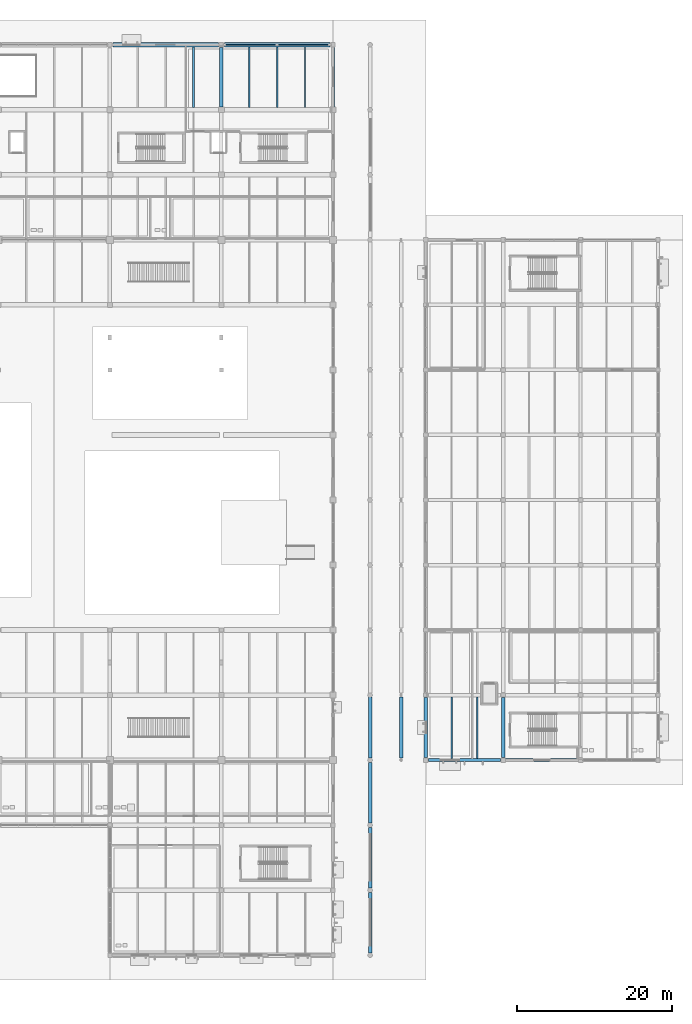
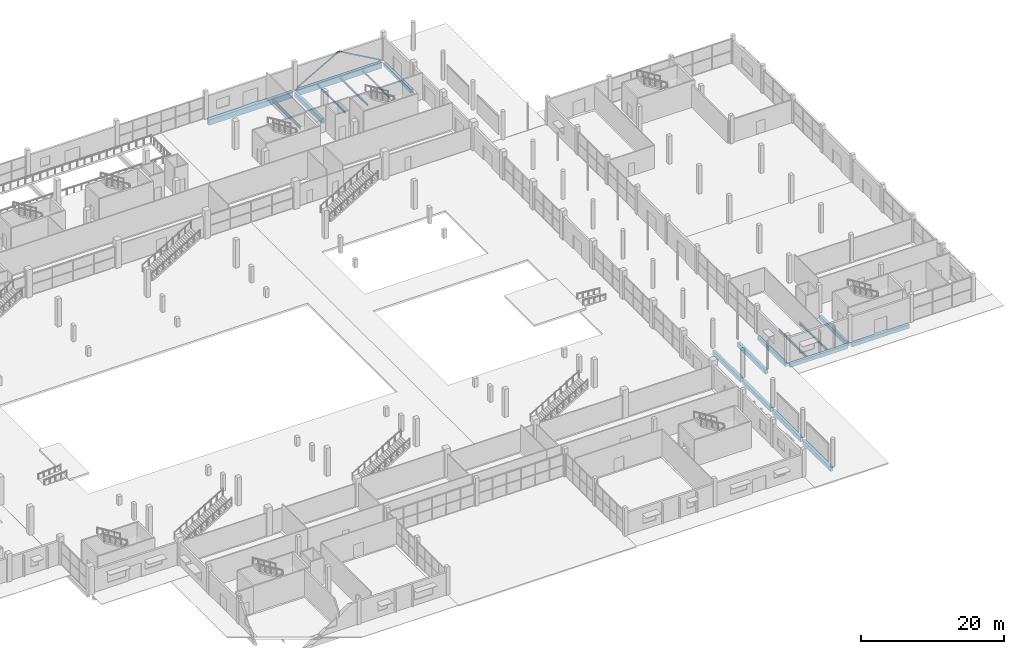
# One storey, part 62 of 130: 19 beams, 2 members.
"""IFC4 building model written with IfcOpenShell, lengths in metres."""

from ifc_helpers import new_model, si_unit, direction, frame, origin, origin_2d, place, context, subcontext, project, spatial, rectangle, hollow_rectangle, i_section, extrude, material, material_profile, profile_set, type_object, element, save


model = new_model("IFC4")

# Units and contexts
model_context = context("Model", 3, precision=1e-05, world=origin(), true_north=direction((0.0, 1.0)))
body_context = subcontext(model_context, "Body", "Model", "MODEL_VIEW")
ifc_project = project(units=[si_unit("LENGTHUNIT", "METRE"), si_unit("AREAUNIT", "SQUARE_METRE"), si_unit("VOLUMEUNIT", "CUBIC_METRE"), si_unit("PLANEANGLEUNIT", "RADIAN"), si_unit("MASSUNIT", "GRAM", prefix="KILO"), si_unit("THERMODYNAMICTEMPERATUREUNIT", "KELVIN")], contexts=[model_context])

# Site, building, storey
site_placement = place(None, origin())
site = spatial("IfcSite", under=ifc_project, at=site_placement, CompositionType="ELEMENT")
building_placement = place(site_placement, origin())
building = spatial("IfcBuilding", under=site, at=building_placement, Name="Nduvali Passage Aquatics Centre", CompositionType="ELEMENT")
storey_placement = place(building_placement, origin())
storey = spatial("IfcBuildingStorey", under=building, at=storey_placement, Name="L00", CompositionType="ELEMENT", Elevation=0.0)

# Beams
ifc_material_1 = material(Name="Concrete C40/50", Category="concrete")
ifc_material_profile_1 = material_profile(ifc_material_1, rectangle(XDim=0.39990234375, YDim=0.699951171875, at=origin_2d()), Name="RC 400x700")
ifc_profile_set_1 = profile_set([ifc_material_profile_1], Name="Concrete C40/50")
beam_type_1 = type_object("IfcBeamType", Name="STR-BM-RC4070", PredefinedType="BEAM", material=ifc_profile_set_1)
beam_1_placement = place(storey_placement, frame((148.0, 25.52490234375, -0.64990234375), z_axis=(0.0, 1.0, 0.0), x_axis=(-1.0, 0.0, 0.0)))
element("IfcBeam", 1, at=beam_1_placement, inside=storey, type_object=beam_type_1, Name="L00 Primary Y-Girder B3A-0231", PredefinedType="BEAM", context=body_context, shape_type="SweptSolid", body=[
    extrude(rectangle(XDim=0.39990234375, YDim=0.699951171875, at=origin_2d()), origin(), (0.0, 0.0, 1.0), 7.75),
])
ifc_material_profile_2 = material_profile(ifc_material_1, rectangle(XDim=0.449951171875, YDim=0.75, at=origin_2d()), Name="RC 450x750")
ifc_profile_set_2 = profile_set([ifc_material_profile_2], Name="Concrete C40/50")
beam_type_2 = type_object("IfcBeamType", Name="STR-BM-RC4575", PredefinedType="BEAM", material=ifc_profile_set_2)
beam_2_placement = place(storey_placement, frame((111.60009765625, 109.574951171875, -0.675048828125), z_axis=(0.0, 1.0, 0.0), x_axis=(-1.0, 0.0, 0.0)))
element("IfcBeam", 2, at=beam_2_placement, inside=storey, type_object=beam_type_2, Name="L00 Primary Y-Girder B3-0186", PredefinedType="BEAM", context=body_context, shape_type="SweptSolid", body=[
    extrude(rectangle(XDim=0.449951171875, YDim=0.75, at=origin_2d()), origin(), (0.0, 0.0, 1.0), 7.650146484375),
])
beam_3_placement = place(storey_placement, frame((130.800048828125, 0.27490234375, -0.675048828125), z_axis=(0.0, 1.0, 0.0), x_axis=(-1.0, 0.0, 0.0)))
element("IfcBeam", 3, at=beam_3_placement, inside=storey, type_object=beam_type_2, Name="L00 Primary Y-Girder B3-0201", PredefinedType="BEAM", context=body_context, shape_type="SweptSolid", body=[
    extrude(rectangle(XDim=0.449951171875, YDim=0.75, at=origin_2d()), origin(), (0.0, 0.0, 1.0), 7.85009765625),
])
beam_4_placement = place(storey_placement, frame((130.800048828125, 8.675048828125, -0.675048828125), z_axis=(0.0, 1.0, 0.0), x_axis=(-1.0, 0.0, 0.0)))
element("IfcBeam", 4, at=beam_4_placement, inside=storey, type_object=beam_type_2, Name="L00 Primary Y-Girder B3-0202", PredefinedType="BEAM", context=body_context, shape_type="SweptSolid", body=[
    extrude(rectangle(XDim=0.449951171875, YDim=0.75, at=origin_2d()), origin(), (0.0, 0.0, 1.0), 7.849853515625),
])
beam_5_placement = place(storey_placement, frame((130.800048828125, 17.074951171875, -0.675048828125), z_axis=(0.0, 1.0, 0.0), x_axis=(-1.0, 0.0, 0.0)))
element("IfcBeam", 5, at=beam_5_placement, inside=storey, type_object=beam_type_2, Name="L00 Primary Y-Girder B3-0203", PredefinedType="BEAM", context=body_context, shape_type="SweptSolid", body=[
    extrude(rectangle(XDim=0.449951171875, YDim=0.75, at=origin_2d()), origin(), (0.0, 0.0, 1.0), 7.85009765625),
])
for number, where, z_axis, x_axis, name in (
    (6, (130.800048828125, 25.47509765625, -0.675048828125), (0.0, 1.0, 0.0), (-1.0, 0.0, 0.0), "L00 Primary Y-Girder B3-0204"),
    (7, (134.800048828125, 25.47509765625, -0.675048828125), (0.0, 1.0, 0.0), (-1.0, 0.0, 0.0), "L00 Primary Y-Girder B3-0215"),
):
    element("IfcBeam", number, at=place(storey_placement, frame(where, z_axis=z_axis, x_axis=x_axis)), inside=storey, type_object=beam_type_2, Name=name, PredefinedType="BEAM", context=body_context, shape_type="SweptSolid", body=[
        extrude(rectangle(XDim=0.449951171875, YDim=0.75, at=origin_2d()), origin(), (0.0, 0.0, 1.0), 7.849853515625),
    ])
ifc_material_profile_3 = material_profile(ifc_material_1, rectangle(XDim=0.60009765625, YDim=0.949951171875, at=origin_2d()), Name="RC 600x950")
ifc_profile_set_3 = profile_set([ifc_material_profile_3], Name="Concrete C40/50")
beam_type_3 = type_object("IfcBeamType", Name="STR-BM-RC6095-EXT", PredefinedType="BEAM", material=ifc_profile_set_3)
beam_6_placement = place(storey_placement, frame((97.60009765625, 117.60009765625, -0.77490234375), z_axis=(1.0, 0.0, 0.0), x_axis=(0.0, 1.0, 0.0)))
element("IfcBeam", 8, at=beam_6_placement, inside=storey, type_object=beam_type_3, Name="L00 Primary X-Girder B1E-0111", PredefinedType="BEAM", context=body_context, shape_type="SweptSolid", body=[
    extrude(rectangle(XDim=0.60009765625, YDim=0.949951171875, at=origin_2d()), origin(), (0.0, 0.0, 1.0), 13.625),
])
beam_7_placement = place(storey_placement, frame((111.97509765625, 117.60009765625, -0.77490234375), z_axis=(1.0, 0.0, 0.0), x_axis=(0.0, 1.0, 0.0)))
element("IfcBeam", 9, at=beam_7_placement, inside=storey, type_object=beam_type_3, Name="L00 Primary X-Girder B1E-0112", PredefinedType="BEAM", context=body_context, shape_type="SweptSolid", body=[
    extrude(rectangle(XDim=0.60009765625, YDim=0.949951171875, at=origin_2d()), origin(), (0.0, 0.0, 1.0), 13.64990234375),
])
ifc_material_2 = material(Name="Steel S355", Category="steel")
ifc_material_profile_4 = material_profile(ifc_material_2, i_section(OverallWidth=0.2099609375, OverallDepth=0.550048828125, WebThickness=0.010986328125, FlangeThickness=0.01708984375, FilletRadius=0.02392578125, at=origin_2d()), Name="IPE 550")
ifc_profile_set_4 = profile_set([ifc_material_profile_4], Name="Steel S355")
beam_type_4 = type_object("IfcBeamType", Name="STR-JST-IPE550", PredefinedType="JOIST", material=ifc_profile_set_4)
beam_8_placement = place(storey_placement, frame((108.0, 109.5, -0.5791015625), z_axis=(0.0, 1.0, 0.0), x_axis=(-1.0, 0.0, 0.0)))
element("IfcBeam", 10, at=beam_8_placement, inside=storey, type_object=beam_type_4, Name="L00 Secondary Joist J5C-0422", PredefinedType="JOIST", context=body_context, shape_type="SweptSolid", body=[
    extrude(i_section(OverallWidth=0.2099609375, OverallDepth=0.550048828125, WebThickness=0.010986328125, FlangeThickness=0.01708984375, FilletRadius=0.02392578125, at=origin_2d()), origin(), (0.0, 0.0, 1.0), 7.800048828125),
])
ifc_material_profile_5 = material_profile(ifc_material_2, i_section(OverallWidth=0.165771484375, OverallDepth=0.306640625, WebThickness=0.006591796875, FlangeThickness=0.01171875, FilletRadius=0.0087890625, at=origin_2d()), Name="UKB 305x165x46")
ifc_profile_set_5 = profile_set([ifc_material_profile_5], Name="Steel S355")
beam_type_5 = type_object("IfcBeamType", Name="STR-JST-UKB305", PredefinedType="JOIST", material=ifc_profile_set_5)
for number, where, z_axis, x_axis, name in (
    (11, (115.199951171875, 109.5, -0.457275390625), (0.0, 1.0, 0.0), (-1.0, 0.0, 0.0), "L00 Secondary Joist J3-0423"),
    (12, (118.800048828125, 109.5, -0.457275390625), (0.0, 1.0, 0.0), (-1.0, 0.0, 0.0), "L00 Secondary Joist J3-0424"),
    (13, (122.39990234375, 109.5, -0.457275390625), (0.0, 1.0, 0.0), (-1.0, 0.0, 0.0), "L00 Secondary Joist J3-0425"),
):
    element("IfcBeam", number, at=place(storey_placement, frame(where, z_axis=z_axis, x_axis=x_axis)), inside=storey, type_object=beam_type_5, Name=name, PredefinedType="JOIST", context=body_context, shape_type="SweptSolid", body=[
        extrude(i_section(OverallWidth=0.165771484375, OverallDepth=0.306640625, WebThickness=0.006591796875, FlangeThickness=0.01171875, FilletRadius=0.0087890625, at=origin_2d()), origin(), (0.0, 0.0, 1.0), 7.800048828125),
    ])
ifc_material_profile_6 = material_profile(ifc_material_2, i_section(OverallWidth=0.1787109375, OverallDepth=0.409423828125, WebThickness=0.0087890625, FlangeThickness=0.014404296875, FilletRadius=0.01025390625, at=origin_2d()), Name="UKB 406x178x67")
ifc_profile_set_6 = profile_set([ifc_material_profile_6], Name="Steel S355")
beam_type_6 = type_object("IfcBeamType", Name="STR-JST-UKB406", PredefinedType="JOIST", material=ifc_profile_set_6)
for number, where, z_axis, x_axis, name in (
    (14, (141.333251953125, 25.39990234375, -0.5087890625), (0.0, 1.0, 0.0), (-1.0, 0.0, 0.0), "L00 Secondary Joist J1-0303"),
    (15, (144.666748046875, 25.39990234375, -0.5087890625), (0.0, 1.0, 0.0), (-1.0, 0.0, 0.0), "L00 Secondary Joist J1-0304"),
):
    element("IfcBeam", number, at=place(storey_placement, frame(where, z_axis=z_axis, x_axis=x_axis)), inside=storey, type_object=beam_type_6, Name=name, PredefinedType="JOIST", context=body_context, shape_type="SweptSolid", body=[
        extrude(i_section(OverallWidth=0.1787109375, OverallDepth=0.409423828125, WebThickness=0.0087890625, FlangeThickness=0.014404296875, FilletRadius=0.01025390625, at=origin_2d()), origin(), (0.0, 0.0, 1.0), 7.97509765625),
    ])

# Members
ifc_material_profile_7 = material_profile(ifc_material_2, hollow_rectangle(XDim=0.10009765625, YDim=0.199951171875, WallThickness=0.00634765625, at=origin_2d()), Name="RHS 200x100x6.3")
ifc_profile_set_7 = profile_set([ifc_material_profile_7], Name="Steel S355")
member_type = type_object("IfcMemberType", Name="STR-MEM-RHS200", PredefinedType="BRACE", material=ifc_profile_set_7)
for number, where, z_axis, x_axis, name in (
    (16, (112.0, 117.60009765625, 0.0), (0.870201254645, 0.0, 0.492696434343), (0.0, 1.0, 0.0), "L00 Chevron Frame Brace 5L"),
    (17, (125.60009765625, 117.60009765625, 0.0), (-0.870201254645, 0.0, 0.492696434343), (0.0, -1.0, 0.0), "L00 Chevron Frame Brace 5R"),
):
    element("IfcMember", number, at=place(storey_placement, frame(where, z_axis=z_axis, x_axis=x_axis)), inside=storey, type_object=member_type, Name=name, PredefinedType="BRACE", context=body_context, shape_type="SweptSolid", body=[
        extrude(hollow_rectangle(XDim=0.10009765625, YDim=0.199951171875, WallThickness=0.00634765625, at=origin_2d()), origin(), (0.0, 0.0, 1.0), 7.814453125),
    ])

# Beams
ifc_material_profile_8 = material_profile(ifc_material_1, rectangle(XDim=0.39990234375, YDim=0.64990234375, at=origin_2d()), Name="RC 400x650")
ifc_profile_set_8 = profile_set([ifc_material_profile_8], Name="Concrete C40/50")
beam_type_7 = type_object("IfcBeamType", Name="STR-SPN-RC4065-EXT", PredefinedType="SPANDREL", material=ifc_profile_set_8)
for number, where, z_axis, x_axis, name in (
    (18, (138.324951171875, 25.199951171875, -0.625), (1.0, 0.0, 0.0), (0.0, 1.0, 0.0), "L00 Primary X-Girder SP1E-0022"),
    (19, (148.324951171875, 25.199951171875, -0.625), (1.0, 0.0, 0.0), (0.0, 1.0, 0.0), "L00 Primary X-Girder SP1E-0023"),
):
    element("IfcBeam", number, at=place(storey_placement, frame(where, z_axis=z_axis, x_axis=x_axis)), inside=storey, type_object=beam_type_7, Name=name, PredefinedType="SPANDREL", context=body_context, shape_type="SweptSolid", body=[
        extrude(rectangle(XDim=0.39990234375, YDim=0.64990234375, at=origin_2d()), origin(), (0.0, 0.0, 1.0), 9.35009765625),
    ])
beam_9_placement = place(storey_placement, frame((126.0, 109.574951171875, -0.625), z_axis=(0.0, 1.0, 0.0), x_axis=(-1.0, 0.0, 0.0)))
element("IfcBeam", 20, at=beam_9_placement, inside=storey, type_object=beam_type_7, Name="L00 Primary Y-Girder SP1E-0200", PredefinedType="SPANDREL", context=body_context, shape_type="SweptSolid", body=[
    extrude(rectangle(XDim=0.39990234375, YDim=0.64990234375, at=origin_2d()), origin(), (0.0, 0.0, 1.0), 7.650146484375),
])
beam_10_placement = place(storey_placement, frame((138.0, 25.52490234375, -0.625), z_axis=(0.0, 1.0, 0.0), x_axis=(-1.0, 0.0, 0.0)))
element("IfcBeam", 21, at=beam_10_placement, inside=storey, type_object=beam_type_7, Name="L00 Primary Y-Girder SP1E-0223", PredefinedType="SPANDREL", context=body_context, shape_type="SweptSolid", body=[
    extrude(rectangle(XDim=0.39990234375, YDim=0.64990234375, at=origin_2d()), origin(), (0.0, 0.0, 1.0), 7.75),
])

save(model, "model.ifc")
